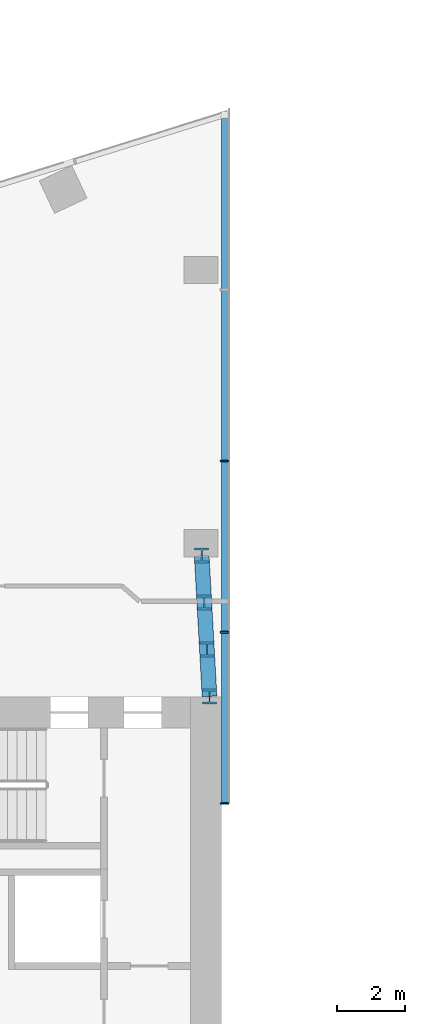
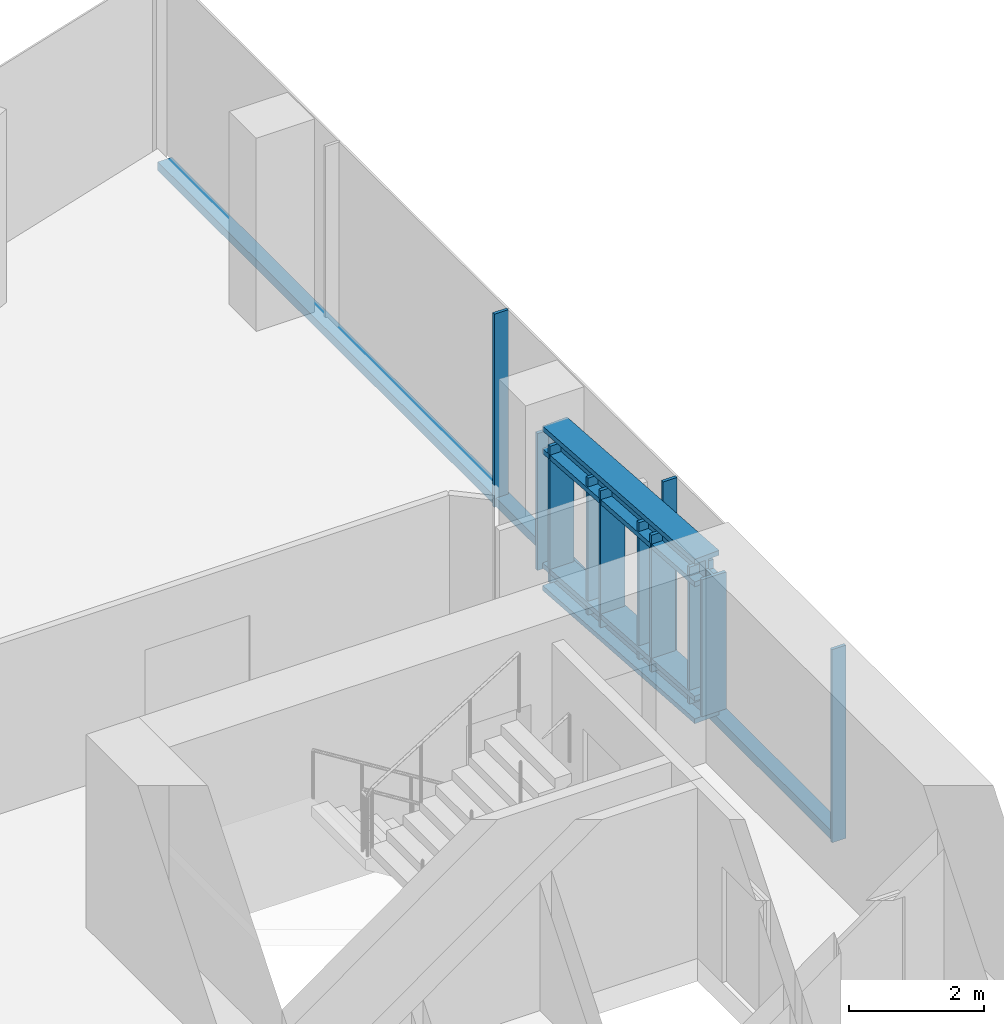
# One storey, part 6 of 23: 10 members, 1 element without a shape of its own.
"""IFC4 building model written with IfcOpenShell, lengths in metres."""

from ifc_helpers import new_model, si_unit, direction, frame, origin, origin_2d, place, context, subcontext, project, spatial, rectangle, i_section, extrude, material, material_profile, profile_set, type_object, element, aggregate, save


model = new_model("IFC4")

# Units and contexts
model_context = context("Model", 3, precision=1e-05, world=origin(), true_north=direction((0.0, 1.0)))
body_context = subcontext(model_context, "Body", "Model", "MODEL_VIEW")
ifc_project = project(units=[si_unit("LENGTHUNIT", "METRE"), si_unit("AREAUNIT", "SQUARE_METRE"), si_unit("VOLUMEUNIT", "CUBIC_METRE"), si_unit("PLANEANGLEUNIT", "RADIAN"), si_unit("MASSUNIT", "GRAM", prefix="KILO")], contexts=[model_context])

# Site, building, storey
site_placement = place(None, origin())
site = spatial("IfcSite", under=ifc_project, at=site_placement, CompositionType="ELEMENT")
building_placement = place(site_placement, origin())
building = spatial("IfcBuilding", under=site, at=building_placement, Name="Orlundy Tower", CompositionType="ELEMENT")
storey_placement = place(building_placement, frame((0.0, 0.0, 260.5)))
storey = spatial("IfcBuildingStorey", under=building, at=storey_placement, Name="L69", CompositionType="ELEMENT", Elevation=260.5)

# Curtain wall, members
ifc_material_1 = material(Name="Aluminium bronze anodised", Category="aluminium")
curtain_wall_type = type_object("IfcCurtainWallType", Name="CW1 wall", PredefinedType="NOTDEFINED", material=ifc_material_1)
curtain_wall_placement = place(storey_placement, origin())
curtain_wall = element("IfcCurtainWall", 1, at=curtain_wall_placement, inside=storey, type_object=curtain_wall_type, Name="CW1 run 04", PredefinedType="NOTDEFINED")
ifc_material_2 = material(Name="Aluminium bronze anodised", Category="aluminium")
ifc_material_profile_1 = material_profile(ifc_material_2, rectangle(XDim=0.239990234375, YDim=0.050048828125, at=origin_2d()), Name="CW6 mullion 50x240")
ifc_profile_set_1 = profile_set([ifc_material_profile_1], Name="Aluminium bronze anodised")
member_type_1 = type_object("IfcMemberType", Name="CW6 mullion 50x240", PredefinedType="MULLION", material=ifc_profile_set_1)
member_1_placement = place(storey_placement, frame((-7.909912109375, 18.908203125, -0.39990234375), z_axis=(0.0, 0.0, 1.0), x_axis=(1.0, 0.0, 0.0)))
member_1 = element("IfcMember", 2, at=member_1_placement, type_object=member_type_1, Name="CW6 mullion 18", PredefinedType="MULLION", context=body_context, shape_type="SweptSolid", body=[
    extrude(rectangle(XDim=0.239990234375, YDim=0.050048828125, at=origin_2d()), origin(), (0.0, 0.0, 1.0), 3.5),
])
member_2_placement = place(storey_placement, frame((-7.909912109375, 13.897216796875, -0.39990234375), z_axis=(0.0, 0.0, 1.0), x_axis=(1.0, 0.0, 0.0)))
member_2 = element("IfcMember", 3, at=member_2_placement, type_object=member_type_1, Name="CW6 mullion 19", PredefinedType="MULLION", context=body_context, shape_type="SweptSolid", body=[
    extrude(rectangle(XDim=0.239990234375, YDim=0.050048828125, at=origin_2d()), origin(), (0.0, 0.0, 1.0), 3.5),
])
member_3_placement = place(storey_placement, frame((-7.909912109375, 8.88623046875, -0.39990234375), z_axis=(0.0, 0.0, 1.0), x_axis=(1.0, 0.0, 0.0)))
member_3 = element("IfcMember", 4, at=member_3_placement, type_object=member_type_1, Name="CW6 mullion 20", PredefinedType="MULLION", context=body_context, shape_type="SweptSolid", body=[
    extrude(rectangle(XDim=0.239990234375, YDim=0.050048828125, at=origin_2d()), origin(), (0.0, 0.0, 1.0), 3.5),
])
ifc_material_3 = material(Name="Aluminium bronze anodised", Category="aluminium")
ifc_material_profile_2 = material_profile(ifc_material_3, rectangle(XDim=0.239990234375, YDim=0.159912109375, at=origin_2d()), Name="CW6 transom 240x160")
ifc_profile_set_2 = profile_set([ifc_material_profile_2], Name="Aluminium bronze anodised")
member_type_2 = type_object("IfcMemberType", Name="CW6 transom 240x160", PredefinedType="USERDEFINED", material=ifc_profile_set_2)
member_4_placement = place(storey_placement, frame((-7.8798828125, 28.929931640625, -0.320068359375), z_axis=(0.0, -1.0, 0.0), x_axis=(1.0, 0.0, 0.0)))
member_4 = element("IfcMember", 5, at=member_4_placement, type_object=member_type_2, Name="CW6 transom", ObjectType="TRANSOM", PredefinedType="USERDEFINED", context=body_context, shape_type="SweptSolid", body=[
    extrude(rectangle(XDim=0.239990234375, YDim=0.159912109375, at=origin_2d()), origin(), (0.0, 0.0, 1.0), 20.0185546875),
])
aggregate(curtain_wall, [member_1, member_2, member_3, member_4])

# Members
ifc_material_4 = material(Name="Steel ASTM A992 Gr 50", Category="steel")
ifc_material_profile_3 = material_profile(ifc_material_4, i_section(OverallWidth=0.43212890625, OverallDepth=0.497802734375, WebThickness=0.0556640625, FlangeThickness=0.0888671875, at=origin_2d()), Name="W14X500")
ifc_profile_set_3 = profile_set([ifc_material_profile_3], Name="Steel ASTM A992 Gr 50")
member_type_3 = type_object("IfcMemberType", Name="PORTAL EDGE TRUSS chord W14X500", PredefinedType="CHORD", material=ifc_profile_set_3)
for number, where, z_axis, x_axis, name in (
    (6, (-8.35009765625, 12.02001953125, 0.28466796875), (-0.05566660133, 0.998449412588, 0.0), (-0.998449412588, -0.05566660133, 0.0), "Portal edge truss bottom chord PE-WN"),
    (7, (-8.35009765625, 12.02001953125, 2.765380859375), (-0.05566660133, 0.998449412588, 0.0), (-0.998449412588, -0.05566660133, 0.0), "Portal edge truss top chord PE-WN"),
):
    element("IfcMember", number, at=place(storey_placement, frame(where, z_axis=z_axis, x_axis=x_axis)), inside=storey, type_object=member_type_3, Name=name, PredefinedType="CHORD", context=body_context, shape_type="SweptSolid", body=[
        extrude(i_section(OverallWidth=0.43212890625, OverallDepth=0.497802734375, WebThickness=0.0556640625, FlangeThickness=0.0888671875, at=origin_2d()), origin(), (0.0, 0.0, 1.0), 4.126953125),
    ])
ifc_material_5 = material(Name="Steel ASTM A992 Gr 50", Category="steel")
ifc_material_profile_4 = material_profile(ifc_material_5, i_section(OverallWidth=0.412109375, OverallDepth=0.434814453125, WebThickness=0.035888671875, FlangeThickness=0.057373046875, at=origin_2d()), Name="W14X311")
ifc_profile_set_4 = profile_set([ifc_material_profile_4], Name="Steel ASTM A992 Gr 50")
member_type_4 = type_object("IfcMemberType", Name="PORTAL EDGE TRUSS post W14X311", PredefinedType="POST", material=ifc_profile_set_4)
for number, where, z_axis, x_axis, name in (
    (8, (-8.35009765625, 12.02001953125, 0.28466796875), (0.0, 0.0, 1.0), (1.0, 0.0, 0.0), "Portal edge truss post PE-WN-0"),
    (9, (-8.426513671875, 13.3935546875, 0.28466796875), (0.0, 0.0, 1.0), (1.0, 0.0, 0.0), "Portal edge truss post PE-WN-1"),
    (10, (-8.50341796875, 14.76708984375, 0.28466796875), (0.0, 0.0, 1.0), (1.0, 0.0, 0.0), "Portal edge truss post PE-WN-2"),
    (11, (-8.579833984375, 16.140625, 0.28466796875), (0.0, 0.0, 1.0), (1.0, 0.0, 0.0), "Portal edge truss post PE-WN-3"),
):
    element("IfcMember", number, at=place(storey_placement, frame(where, z_axis=z_axis, x_axis=x_axis)), inside=storey, type_object=member_type_4, Name=name, PredefinedType="POST", context=body_context, shape_type="SweptSolid", body=[
        extrude(i_section(OverallWidth=0.412109375, OverallDepth=0.434814453125, WebThickness=0.035888671875, FlangeThickness=0.057373046875, at=origin_2d()), origin(), (0.0, 0.0, 1.0), 2.480712890625),
    ])

save(model, "model.ifc")
